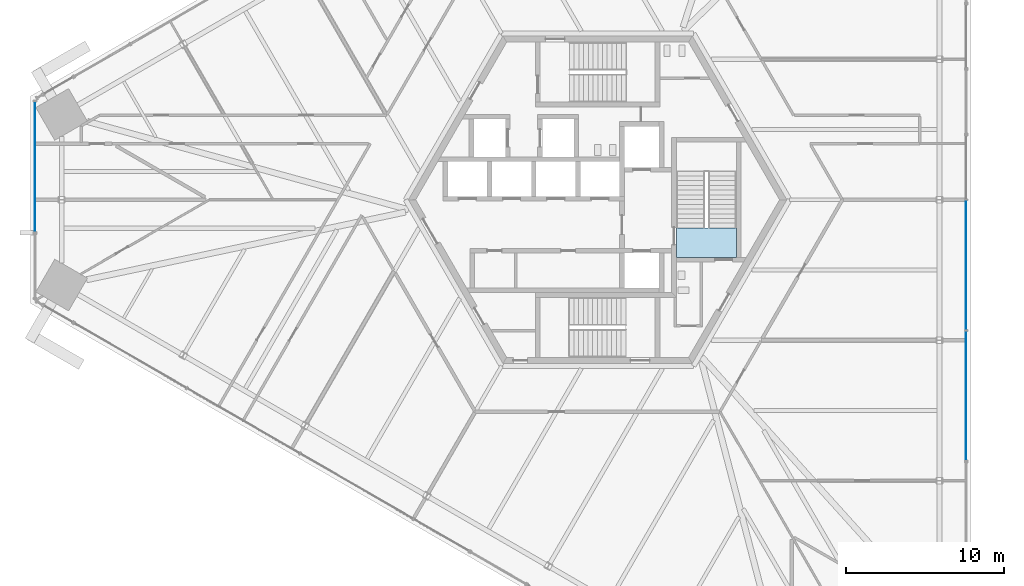
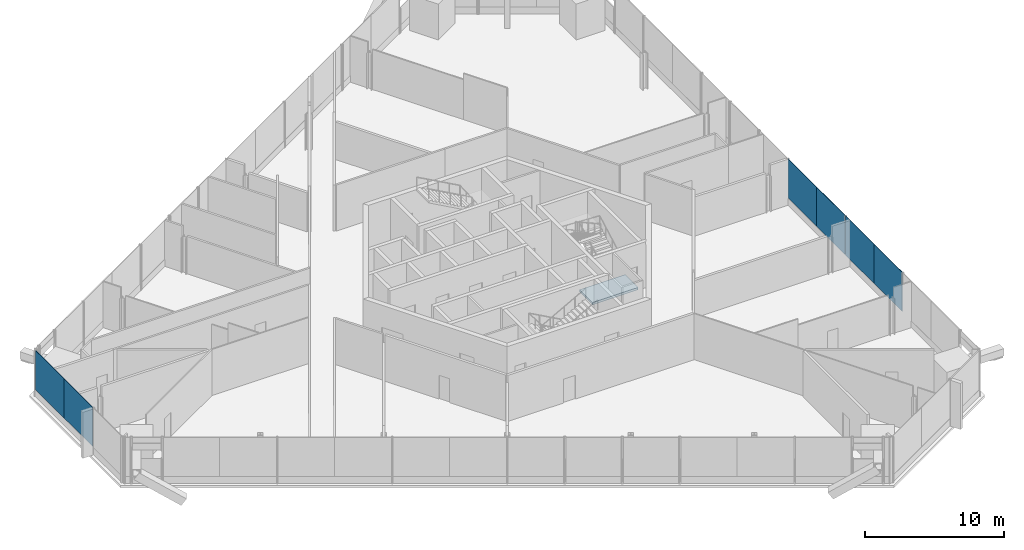
# One storey, part 13 of 22: 6 plates, 1 slab, 3 elements without a shape of their own.
"""IFC4 building model written with IfcOpenShell, lengths in metres."""

from ifc_helpers import new_model, si_unit, direction, frame, origin, origin_2d, place, context, subcontext, project, spatial, polyline, rectangle, outline, extrude, source, transform, mapped, material, layer, layer_set, type_object, element, aggregate, save


model = new_model("IFC4")

# Units and contexts
model_context = context("Model", 3, precision=1e-05, world=origin(), true_north=direction((0.0, 1.0)))
body_context = subcontext(model_context, "Body", "Model", "MODEL_VIEW")
ifc_project = project(units=[si_unit("LENGTHUNIT", "METRE"), si_unit("AREAUNIT", "SQUARE_METRE"), si_unit("VOLUMEUNIT", "CUBIC_METRE"), si_unit("PLANEANGLEUNIT", "RADIAN"), si_unit("MASSUNIT", "GRAM", prefix="KILO")], contexts=[model_context])

# Site, building, storey
site_placement = place(None, origin())
site = spatial("IfcSite", under=ifc_project, at=site_placement, CompositionType="ELEMENT")
building_placement = place(site_placement, origin())
building = spatial("IfcBuilding", under=site, at=building_placement, Name="Triune Harvest Tower", CompositionType="ELEMENT")
storey_placement = place(building_placement, frame((0.0, 0.0, 50.39990234375)))
storey = spatial("IfcBuildingStorey", under=building, at=storey_placement, Name="L11", CompositionType="ELEMENT", Elevation=50.39990234375)

# Stair, slab
ifc_material_1 = material(Name="Concrete 40 MPa", Category="concrete")
stair_type = type_object("IfcStairType", Name="Exit stair 1800 half turn", PredefinedType="HALF_TURN_STAIR", material=ifc_material_1)
stair_placement = place(storey_placement, origin())
stair = element("IfcStair", 1, at=stair_placement, inside=storey, type_object=stair_type, Name="Exit stair east", PredefinedType="HALF_TURN_STAIR")
ifc_material_2 = material(Name="Concrete 40 MPa", Category="concrete")
ifc_layer_1 = layer(ifc_material_2, 0.199951171875)
ifc_layer_set_1 = layer_set([ifc_layer_1], Name="Concrete 40 MPa")
slab_type = type_object("IfcSlabType", Name="Stair landing 200", PredefinedType="LANDING", material=ifc_layer_set_1)
shared_shape_1 = source(origin(), body_context, "Body", "SweptSolid", [
    extrude(outline(polyline([(8.800048828125, -3.64990234375), (8.800048828125, -1.780029296875), (5.0, -1.780029296875), (5.0, -3.64990234375), (8.800048828125, -3.64990234375)])), origin(), (0.0, 0.0, 1.0), 0.199951171875),
])
slab_placement = place(storey_placement, frame((0.0, 0.0, -0.199951171875)))
slab = element("IfcSlab", 2, at=slab_placement, type_object=slab_type, Name="ST-3 landing 1", PredefinedType="LANDING", context=body_context, shape_type="MappedRepresentation", body=[
    mapped(shared_shape_1, transform((0.0, 0.0, 0.0), scale=1.0)),
])
aggregate(stair, [slab])

# Curtain wall, plates
ifc_material_3 = material(Name="Aluminium bronze anodised", Category="aluminium")
curtain_wall_type = type_object("IfcCurtainWallType", Name="CW-3 Farm floor curtain wall", PredefinedType="NOTDEFINED", material=ifc_material_3)
curtain_wall_1_placement = place(storey_placement, origin())
curtain_wall_1 = element("IfcCurtainWall", 3, at=curtain_wall_1_placement, inside=storey, type_object=curtain_wall_type, Name="CW-3 B1-F1 L11 run 1201")
ifc_material_4 = material(Name="Glass", Category="glass")
ifc_layer_2 = layer(ifc_material_4, 0.035888671875)
ifc_layer_set_2 = layer_set([ifc_layer_2], Name="Glass")
plate_type = type_object("IfcPlateType", Name="GL-3 panel 36", PredefinedType="CURTAIN_PANEL", material=ifc_layer_set_2)
shared_shape_2 = source(origin(), body_context, "Body", "SweptSolid", [
    extrude(rectangle(XDim=4.06689453125, YDim=0.035888671875, at=origin_2d()), origin(), (0.0, 0.0, 1.0), 3.449951171875),
])
plate_1_placement = place(storey_placement, frame((23.371337890625, -14.47412109375, 0.60009765625), z_axis=(0.0, 0.0, 1.0), x_axis=(0.0, 1.0, 0.0)))
plate_1 = element("IfcPlate", 4, at=plate_1_placement, type_object=plate_type, Name="CW-3 panel B1-F1 1201.1", PredefinedType="CURTAIN_PANEL", context=body_context, shape_type="MappedRepresentation", body=[
    mapped(shared_shape_2, transform((0.0, 0.0, 0.0), scale=1.0)),
])
shared_shape_3 = source(origin(), body_context, "Body", "SweptSolid", [
    extrude(rectangle(XDim=4.10693359375, YDim=0.035888671875, at=origin_2d()), origin(), (0.0, 0.0, 1.0), 3.449951171875),
])
plate_2_placement = place(storey_placement, frame((23.371337890625, -10.38720703125, 0.60009765625), z_axis=(0.0, 0.0, 1.0), x_axis=(0.0, 1.0, 0.0)))
plate_2 = element("IfcPlate", 5, at=plate_2_placement, type_object=plate_type, Name="CW-3 panel B1-F1 1201.2", PredefinedType="CURTAIN_PANEL", context=body_context, shape_type="MappedRepresentation", body=[
    mapped(shared_shape_3, transform((0.0, 0.0, 0.0), scale=1.0)),
])
plate_3_placement = place(storey_placement, frame((23.371337890625, -6.200439453125, 0.60009765625), z_axis=(0.0, 0.0, 1.0), x_axis=(0.0, 1.0, 0.0)))
plate_3 = element("IfcPlate", 6, at=plate_3_placement, type_object=plate_type, Name="CW-3 panel B1-F1 1201.3", PredefinedType="CURTAIN_PANEL", context=body_context, shape_type="MappedRepresentation", body=[
    mapped(shared_shape_3, transform((0.0, 0.0, 0.0), scale=1.0)),
])
plate_4_placement = place(storey_placement, frame((23.371337890625, -2.093505859375, 0.60009765625), z_axis=(0.0, 0.0, 1.0), x_axis=(0.0, 1.0, 0.0)))
plate_4 = element("IfcPlate", 7, at=plate_4_placement, type_object=plate_type, Name="CW-3 panel B1-F1 1201.4", PredefinedType="CURTAIN_PANEL", context=body_context, shape_type="MappedRepresentation", body=[
    mapped(shared_shape_3, transform((0.0, 0.0, 0.0), scale=1.0)),
])
aggregate(curtain_wall_1, [plate_1, plate_2, plate_3, plate_4])

curtain_wall_2_placement = place(storey_placement, origin())
curtain_wall_2 = element("IfcCurtainWall", 8, at=curtain_wall_2_placement, inside=storey, type_object=curtain_wall_type, Name="CW-3 B1-F4 L11 run 1")
shared_shape_4 = source(origin(), body_context, "Body", "SweptSolid", [
    extrude(rectangle(XDim=4.117919921875, YDim=0.035888671875, at=origin_2d()), origin(), (0.0, 0.0, 1.0), 3.449951171875),
])
plate_5_placement = place(storey_placement, frame((-35.680419921875, 4.157958984375, 0.60009765625), z_axis=(0.0, 0.0, 1.0), x_axis=(0.0, -1.0, 0.0)))
plate_5 = element("IfcPlate", 9, at=plate_5_placement, type_object=plate_type, Name="CW-3 panel B1-F4 1.1", PredefinedType="CURTAIN_PANEL", context=body_context, shape_type="MappedRepresentation", body=[
    mapped(shared_shape_4, transform((0.0, 0.0, 0.0), scale=1.0)),
])
plate_6_placement = place(storey_placement, frame((-35.680419921875, 0.0400390625, 0.60009765625), z_axis=(0.0, 0.0, 1.0), x_axis=(0.0, -1.0, 0.0)))
plate_6 = element("IfcPlate", 10, at=plate_6_placement, type_object=plate_type, Name="CW-3 panel B1-F4 1.2", PredefinedType="CURTAIN_PANEL", context=body_context, shape_type="MappedRepresentation", body=[
    mapped(shared_shape_4, transform((0.0, 0.0, 0.0), scale=1.0)),
])
aggregate(curtain_wall_2, [plate_5, plate_6])

save(model, "model.ifc")
